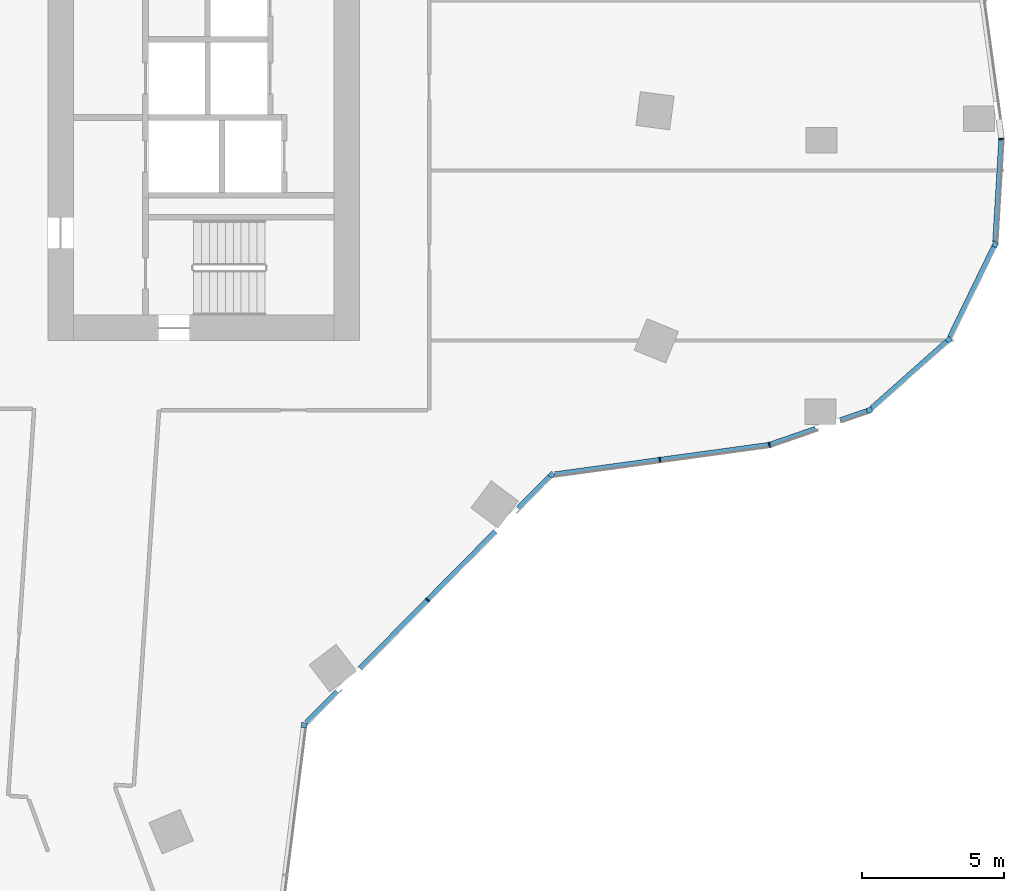
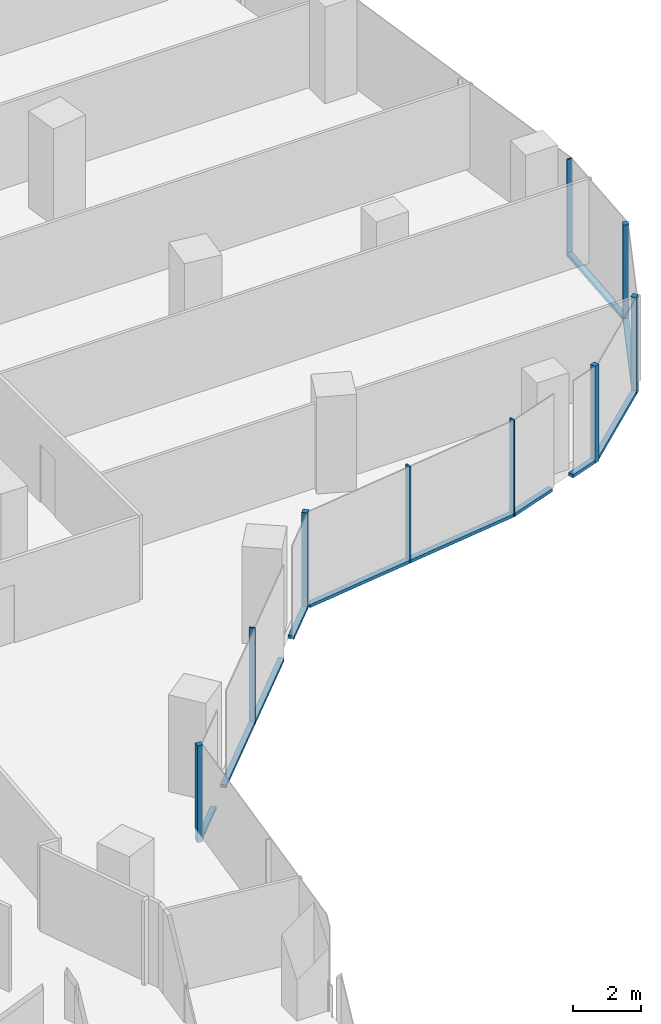
# One storey, part 7 of 27: 18 members, 7 elements without a shape of their own.
"""IFC4 building model written with IfcOpenShell, lengths in metres."""

from ifc_helpers import new_model, si_unit, direction, frame, origin, origin_2d, place, context, subcontext, project, spatial, rectangle, extrude, material, material_profile, profile_set, type_object, element, aggregate, save


model = new_model("IFC4")

# Units and contexts
model_context = context("Model", 3, precision=1e-05, world=origin(), true_north=direction((0.0, 1.0)))
body_context = subcontext(model_context, "Body", "Model", "MODEL_VIEW")
ifc_project = project(units=[si_unit("LENGTHUNIT", "METRE"), si_unit("AREAUNIT", "SQUARE_METRE"), si_unit("VOLUMEUNIT", "CUBIC_METRE"), si_unit("PLANEANGLEUNIT", "RADIAN"), si_unit("MASSUNIT", "GRAM", prefix="KILO")], contexts=[model_context])

# Site, building, storey
site_placement = place(None, origin())
site = spatial("IfcSite", under=ifc_project, at=site_placement, CompositionType="ELEMENT")
building_placement = place(site_placement, origin())
building = spatial("IfcBuilding", under=site, at=building_placement, Name="Orlundy Tower", CompositionType="ELEMENT")
storey_placement = place(building_placement, frame((0.0, 0.0, 192.10009765625)))
storey = spatial("IfcBuildingStorey", under=building, at=storey_placement, Name="L50", CompositionType="ELEMENT", Elevation=192.10009765625)

# Curtain wall, member
ifc_material_1 = material(Name="Aluminium bronze anodised", Category="aluminium")
curtain_wall_type = type_object("IfcCurtainWallType", Name="CW1 wall", PredefinedType="NOTDEFINED", material=ifc_material_1)
curtain_wall_1_placement = place(storey_placement, origin())
curtain_wall_1 = element("IfcCurtainWall", 1, at=curtain_wall_1_placement, inside=storey, type_object=curtain_wall_type, Name="CW1 run 013", PredefinedType="NOTDEFINED")
ifc_material_2 = material(Name="Aluminium bronze anodised", Category="aluminium")
ifc_material_profile_1 = material_profile(ifc_material_2, rectangle(XDim=0.179931640625, YDim=0.179931640625, at=origin_2d()), Name="CW1 corner post 180x180")
ifc_profile_set_1 = profile_set([ifc_material_profile_1], Name="Aluminium bronze anodised")
member_type_1 = type_object("IfcMemberType", Name="CW1 corner post 180x180", PredefinedType="MULLION", material=ifc_profile_set_1)
member_1_placement = place(storey_placement, frame((41.420654296875, -8.605224609375, -0.420166015625), z_axis=(0.0, 0.0, 1.0), x_axis=(0.899441505342, -0.437041163358, 0.0)))
member_1 = element("IfcMember", 2, at=member_1_placement, type_object=member_type_1, Name="CW1 mullion 37", PredefinedType="MULLION", context=body_context, shape_type="SweptSolid", body=[
    extrude(rectangle(XDim=0.179931640625, YDim=0.179931640625, at=origin_2d()), origin(), (0.0, 0.0, 1.0), 3.5),
])

curtain_wall_2_placement = place(storey_placement, origin())
curtain_wall_2 = element("IfcCurtainWall", 3, at=curtain_wall_2_placement, inside=storey, type_object=curtain_wall_type, Name="CW1 run 014", PredefinedType="NOTDEFINED")
member_2_placement = place(storey_placement, frame((39.78515625, -11.971435546875, -0.420166015625), z_axis=(0.0, 0.0, 1.0), x_axis=(0.663760711342, -0.747944996694, 0.0)))
member_2 = element("IfcMember", 4, at=member_2_placement, type_object=member_type_1, Name="CW1 mullion 38", PredefinedType="MULLION", context=body_context, shape_type="SweptSolid", body=[
    extrude(rectangle(XDim=0.179931640625, YDim=0.179931640625, at=origin_2d()), origin(), (0.0, 0.0, 1.0), 3.5),
])

curtain_wall_3_placement = place(storey_placement, origin())
curtain_wall_3 = element("IfcCurtainWall", 5, at=curtain_wall_3_placement, inside=storey, type_object=curtain_wall_type, Name="CW1 run 015", PredefinedType="NOTDEFINED")
member_3_placement = place(storey_placement, frame((36.986328125, -14.455078125, -0.420166015625), z_axis=(0.0, 0.0, 1.0), x_axis=(0.32697157273, -0.945034174317, 0.0)))
member_3 = element("IfcMember", 6, at=member_3_placement, type_object=member_type_1, Name="CW1 mullion 39", PredefinedType="MULLION", context=body_context, shape_type="SweptSolid", body=[
    extrude(rectangle(XDim=0.179931640625, YDim=0.179931640625, at=origin_2d()), origin(), (0.0, 0.0, 1.0), 3.5),
])

curtain_wall_4_placement = place(storey_placement, origin())
curtain_wall_4 = element("IfcCurtainWall", 7, at=curtain_wall_4_placement, inside=storey, type_object=curtain_wall_type, Name="CW1 run 017", PredefinedType="NOTDEFINED")
member_4_placement = place(storey_placement, frame((25.767578125, -16.73388671875, -0.420166015625), z_axis=(0.0, 0.0, 1.0), x_axis=(0.711219038994, -0.702970467781, 0.0)))
member_4 = element("IfcMember", 8, at=member_4_placement, type_object=member_type_1, Name="CW1 mullion 42", PredefinedType="MULLION", context=body_context, shape_type="SweptSolid", body=[
    extrude(rectangle(XDim=0.179931640625, YDim=0.179931640625, at=origin_2d()), origin(), (0.0, 0.0, 1.0), 3.5),
])

curtain_wall_5_placement = place(storey_placement, origin())
curtain_wall_5 = element("IfcCurtainWall", 9, at=curtain_wall_5_placement, inside=storey, type_object=curtain_wall_type, Name="CW1 run 018", PredefinedType="NOTDEFINED")
member_5_placement = place(storey_placement, frame((17.032470703125, -25.571533203125, -0.420166015625), z_axis=(0.0, 0.0, 1.0), x_axis=(0.992189164773, -0.124742379758, 0.0)))
member_5 = element("IfcMember", 10, at=member_5_placement, type_object=member_type_1, Name="CW1 mullion 44", PredefinedType="MULLION", context=body_context, shape_type="SweptSolid", body=[
    extrude(rectangle(XDim=0.179931640625, YDim=0.179931640625, at=origin_2d()), origin(), (0.0, 0.0, 1.0), 3.5),
])
aggregate(curtain_wall_5, [member_5])

curtain_wall_6_placement = place(storey_placement, origin())
curtain_wall_6 = element("IfcCurtainWall", 11, at=curtain_wall_6_placement, inside=storey, type_object=curtain_wall_type, Name="CW1 run 012", PredefinedType="NOTDEFINED")
ifc_material_3 = material(Name="Aluminium bronze anodised", Category="aluminium")
ifc_material_profile_2 = material_profile(ifc_material_3, rectangle(XDim=0.179931640625, YDim=0.050048828125, at=origin_2d()), Name="CW1 mullion 50x180")
ifc_profile_set_2 = profile_set([ifc_material_profile_2], Name="Aluminium bronze anodised")
member_type_2 = type_object("IfcMemberType", Name="CW1 mullion 50x180", PredefinedType="MULLION", material=ifc_profile_set_2)
member_6_placement = place(storey_placement, frame((41.643310546875, -4.87841796875, -0.420166015625), z_axis=(0.0, 0.0, 1.0), x_axis=(0.999257951647, 0.038516828414, 0.0)))
member_6 = element("IfcMember", 12, at=member_6_placement, type_object=member_type_2, Name="CW1 mullion 36", PredefinedType="MULLION", context=body_context, shape_type="SweptSolid", body=[
    extrude(rectangle(XDim=0.179931640625, YDim=0.050048828125, at=origin_2d()), origin(), (0.0, 0.0, 1.0), 3.5),
])

# Curtain wall, members
curtain_wall_7_placement = place(storey_placement, origin())
curtain_wall_7 = element("IfcCurtainWall", 13, at=curtain_wall_7_placement, inside=storey, type_object=curtain_wall_type, Name="CW1 run 016", PredefinedType="NOTDEFINED")
member_7_placement = place(storey_placement, frame((33.4580078125, -15.676025390625, -0.420166015625), z_axis=(0.0, 0.0, 1.0), x_axis=(0.232753873533, -0.972535672536, 0.0)))
member_7 = element("IfcMember", 14, at=member_7_placement, type_object=member_type_2, Name="CW1 mullion 40", PredefinedType="MULLION", context=body_context, shape_type="SweptSolid", body=[
    extrude(rectangle(XDim=0.179931640625, YDim=0.050048828125, at=origin_2d()), origin(), (0.0, 0.0, 1.0), 3.5),
])
member_8_placement = place(storey_placement, frame((29.59326171875, -16.207763671875, -0.420166015625), z_axis=(0.0, 0.0, 1.0), x_axis=(0.13629398476, -0.990668435814, 0.0)))
member_8 = element("IfcMember", 15, at=member_8_placement, type_object=member_type_2, Name="CW1 mullion 41", PredefinedType="MULLION", context=body_context, shape_type="SweptSolid", body=[
    extrude(rectangle(XDim=0.179931640625, YDim=0.050048828125, at=origin_2d()), origin(), (0.0, 0.0, 1.0), 3.5),
])

# Member
member_9_placement = place(storey_placement, frame((21.39990234375, -21.15283203125, -0.420166015625), z_axis=(0.0, 0.0, 1.0), x_axis=(0.711219038994, -0.702970467781, 0.0)))
member_9 = element("IfcMember", 16, at=member_9_placement, type_object=member_type_2, Name="CW1 mullion 43", PredefinedType="MULLION", context=body_context, shape_type="SweptSolid", body=[
    extrude(rectangle(XDim=0.179931640625, YDim=0.050048828125, at=origin_2d()), origin(), (0.0, 0.0, 1.0), 3.5),
])

ifc_material_4 = material(Name="Aluminium bronze anodised", Category="aluminium")
ifc_material_profile_3 = material_profile(ifc_material_4, rectangle(XDim=0.179931640625, YDim=0.1201171875, at=origin_2d()), Name="CW1 transom 180x120")
ifc_profile_set_3 = profile_set([ifc_material_profile_3], Name="Aluminium bronze anodised")
member_type_3 = type_object("IfcMemberType", Name="CW1 transom 180x120", PredefinedType="USERDEFINED", material=ifc_profile_set_3)
member_10_placement = place(storey_placement, frame((41.641845703125, -4.903564453125, -0.360107421875), z_axis=(-0.05963359079, -0.998220333819, 0.0), x_axis=(0.998220333819, -0.05963359079, 0.0)))
member_10 = element("IfcMember", 17, at=member_10_placement, type_object=member_type_3, Name="CW1 transom", ObjectType="TRANSOM", PredefinedType="USERDEFINED", context=body_context, shape_type="SweptSolid", body=[
    extrude(rectangle(XDim=0.179931640625, YDim=0.1201171875, at=origin_2d()), origin(), (0.0, 0.0, 1.0), 3.61083984375),
])

aggregate(curtain_wall_6, [member_6, member_10])

member_11_placement = place(storey_placement, frame((41.38134765625, -8.686279296875, -0.360107421875), z_axis=(-0.437048428858, -0.899437974978, 0.0), x_axis=(0.899437974978, -0.437048428858, 0.0)))
member_11 = element("IfcMember", 18, at=member_11_placement, type_object=member_type_3, Name="CW1 transom", ObjectType="TRANSOM", PredefinedType="USERDEFINED", context=body_context, shape_type="SweptSolid", body=[
    extrude(rectangle(XDim=0.179931640625, YDim=0.1201171875, at=origin_2d()), origin(), (0.0, 0.0, 1.0), 3.554931640625),
])

aggregate(curtain_wall_1, [member_1, member_11])

member_12_placement = place(storey_placement, frame((39.7177734375, -12.03125, -0.360107421875), z_axis=(-0.747924477446, -0.663783832311, 0.0), x_axis=(0.663783832311, -0.747924477446, 0.0)))
member_12 = element("IfcMember", 19, at=member_12_placement, type_object=member_type_3, Name="CW1 transom", ObjectType="TRANSOM", PredefinedType="USERDEFINED", context=body_context, shape_type="SweptSolid", body=[
    extrude(rectangle(XDim=0.179931640625, YDim=0.1201171875, at=origin_2d()), origin(), (0.0, 0.0, 1.0), 3.554443359375),
])

aggregate(curtain_wall_2, [member_2, member_12])

member_13_placement = place(storey_placement, frame((36.9013671875, -14.484619140625, -0.360107421875), z_axis=(-0.9450267743, -0.326992959948, 0.0), x_axis=(0.326992959948, -0.9450267743, 0.0)))
member_13 = element("IfcMember", 20, at=member_13_placement, type_object=member_type_3, Name="CW1 transom", ObjectType="TRANSOM", PredefinedType="USERDEFINED", context=body_context, shape_type="SweptSolid", body=[
    extrude(rectangle(XDim=0.179931640625, YDim=0.1201171875, at=origin_2d()), origin(), (0.0, 0.0, 1.0), 0.998291015625),
])

member_14_placement = place(storey_placement, frame((35.085205078125, -15.113037109375, -0.360107421875), z_axis=(-0.945054480209, -0.326912877441, 0.0), x_axis=(0.326912877441, -0.945054480209, 0.0)))
member_14 = element("IfcMember", 21, at=member_14_placement, type_object=member_type_3, Name="CW1 transom", ObjectType="TRANSOM", PredefinedType="USERDEFINED", context=body_context, shape_type="SweptSolid", body=[
    extrude(rectangle(XDim=0.179931640625, YDim=0.1201171875, at=origin_2d()), origin(), (0.0, 0.0, 1.0), 1.69677734375),
])

aggregate(curtain_wall_3, [member_3, member_13, member_14])

member_15_placement = place(storey_placement, frame((33.43310546875, -15.679443359375, -0.360107421875), z_axis=(-0.990670087353, -0.136281979823, 0.0), x_axis=(0.136281979823, -0.990670087353, 0.0)))
member_15 = element("IfcMember", 22, at=member_15_placement, type_object=member_type_3, Name="CW1 transom", ObjectType="TRANSOM", PredefinedType="USERDEFINED", context=body_context, shape_type="SweptSolid", body=[
    extrude(rectangle(XDim=0.179931640625, YDim=0.1201171875, at=origin_2d()), origin(), (0.0, 0.0, 1.0), 7.624267578125),
])

aggregate(curtain_wall_7, [member_7, member_8, member_15])

member_16_placement = place(storey_placement, frame((25.704345703125, -16.798095703125, -0.360107421875), z_axis=(-0.703065381314, -0.711125213727, 0.0), x_axis=(0.711125213727, -0.703065381314, 0.0)))
member_16 = element("IfcMember", 23, at=member_16_placement, type_object=member_type_3, Name="CW1 transom", ObjectType="TRANSOM", PredefinedType="USERDEFINED", context=body_context, shape_type="SweptSolid", body=[
    extrude(rectangle(XDim=0.179931640625, YDim=0.1201171875, at=origin_2d()), origin(), (0.0, 0.0, 1.0), 1.5751953125),
])

member_17_placement = place(storey_placement, frame((23.7880859375, -18.736572265625, -0.360107421875), z_axis=(-0.702962592662, -0.711226822693, 0.0), x_axis=(0.711226822693, -0.702962592662, 0.0)))
member_17 = element("IfcMember", 24, at=member_17_placement, type_object=member_type_3, Name="CW1 transom", ObjectType="TRANSOM", PredefinedType="USERDEFINED", context=body_context, shape_type="SweptSolid", body=[
    extrude(rectangle(XDim=0.179931640625, YDim=0.1201171875, at=origin_2d()), origin(), (0.0, 0.0, 1.0), 6.794677734375),
])

member_18_placement = place(storey_placement, frame((18.202880859375, -24.387451171875, -0.360107421875), z_axis=(-0.702924460902, -0.711264509353, 0.0), x_axis=(0.711264509353, -0.702924460902, 0.0)))
member_18 = element("IfcMember", 25, at=member_18_placement, type_object=member_type_3, Name="CW1 transom", ObjectType="TRANSOM", PredefinedType="USERDEFINED", context=body_context, shape_type="SweptSolid", body=[
    extrude(rectangle(XDim=0.179931640625, YDim=0.1201171875, at=origin_2d()), origin(), (0.0, 0.0, 1.0), 1.551513671875),
])

aggregate(curtain_wall_4, [member_4, member_9, member_16, member_17, member_18])

save(model, "model.ifc")
